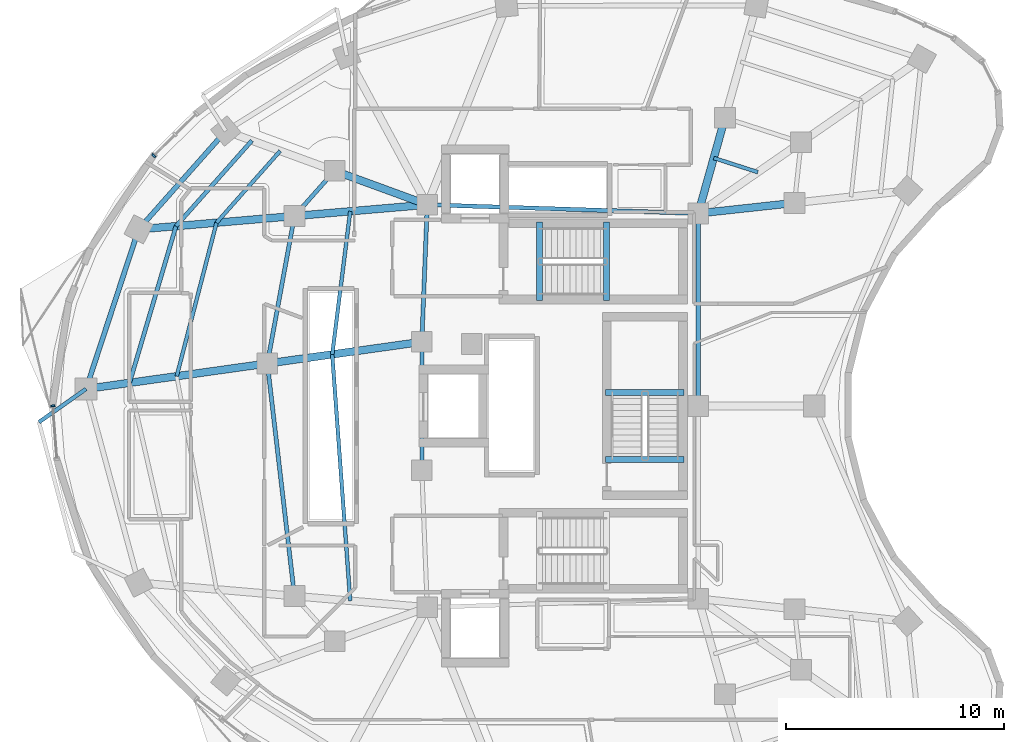
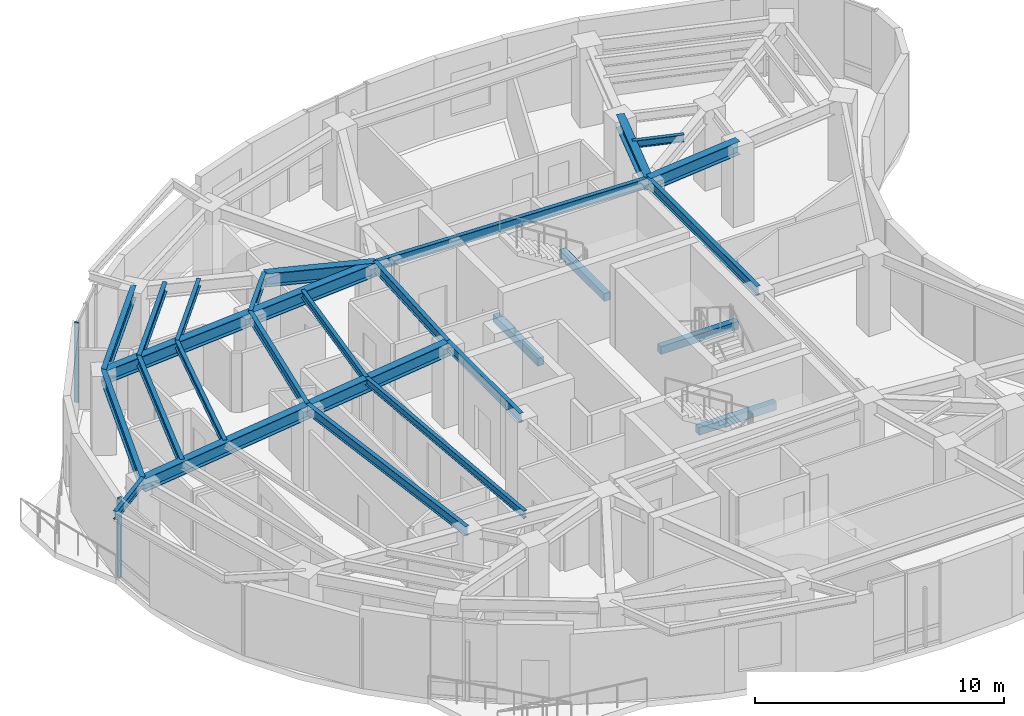
# One storey, part 3 of 13: 28 beams, 2 members, 2 elements without a shape of their own.
"""IFC4 building model written with IfcOpenShell, lengths in metres."""

import ifcopenshell
import ifcopenshell.guid

model = None  # the IFC model being written
_history = None  # IfcOwnerHistory: only IFC2X3 demands one
_inside = {}  # id of a spatial element -> (the spatial element, [elements in it])
_under = {}  # id of a project, library or spatial element -> (it, [spatial elements below it])
_declared = {}  # id of a project -> (the project, [libraries it declares])
_typed = {}  # id of a type object -> (the type object, [elements of that type])
_made_of = {}  # id of a material, layer set ... -> (it, [elements and type objects made of it])


def new_model(schema):
    """Start an empty IFC model of exactly this schema.

    Asked for "IFC4X3", IfcOpenShell would pick the latest addendum, in which some entities
    have other attributes; the version numbers below select the first issue.
    IFC2X3 requires an IfcOwnerHistory on every rooted entity: one is made here for all.
    """
    global model, _history
    if schema == "IFC4X3":
        model = ifcopenshell.file(schema_version=(4, 3, 0, 0))
    else:
        model = ifcopenshell.file(schema=schema)
    _inside.clear()
    _under.clear()
    _declared.clear()
    _typed.clear()
    _made_of.clear()
    _history = None
    if model.schema == "IFC2X3":
        org = make("IfcOrganization", Name="unknown")
        user = make(
            "IfcPersonAndOrganization",
            ThePerson=make("IfcPerson", FamilyName="unknown"),
            TheOrganization=org,
        )
        app = make(
            "IfcApplication",
            ApplicationDeveloper=org,
            Version="unknown",
            ApplicationFullName="unknown",
            ApplicationIdentifier="unknown",
        )
        _history = make(
            "IfcOwnerHistory",
            OwningUser=user,
            OwningApplication=app,
            ChangeAction="ADDED",
            CreationDate=0,
        )
    return model


def make(cls, **values):
    """One entity of the class cls with the attributes given. An attribute that is None is left unset."""
    return model.create_entity(
        cls, **{name: value for name, value in values.items() if value is not None}
    )


def rooted(cls, **values):
    """An entity with a GlobalId (a new one), such as an element, a storey or a relation."""
    return make(cls, GlobalId=ifcopenshell.guid.new(), OwnerHistory=_history, **values)


def si_unit(unit_type, name, prefix=None):
    """IfcSIUnit, for example si_unit("LENGTHUNIT", "METRE", prefix="MILLI")."""
    return make("IfcSIUnit", UnitType=unit_type, Prefix=prefix, Name=name)


def assignment(units):
    """IfcUnitAssignment: the units of a project."""
    return None if units is None else make("IfcUnitAssignment", Units=units)


def point(xyz):
    """IfcCartesianPoint."""
    return None if xyz is None else make("IfcCartesianPoint", Coordinates=xyz)


def direction(xyz):
    """IfcDirection."""
    return None if xyz is None else make("IfcDirection", DirectionRatios=xyz)


def frame(location, z_axis=None, x_axis=None):
    """IfcAxis2Placement3D, a coordinate frame: its origin and axes. An axis left out is left unset."""
    return make(
        "IfcAxis2Placement3D",
        Location=point(location),
        Axis=direction(z_axis),
        RefDirection=direction(x_axis),
    )


def frame_2d(location, x_axis=None):
    """IfcAxis2Placement2D, a coordinate frame in the plane: its origin and x axis."""
    return make(
        "IfcAxis2Placement2D", Location=point(location), RefDirection=direction(x_axis)
    )


def origin():
    """The frame at (0, 0, 0) with its axes left unset."""
    return frame((0.0, 0.0, 0.0))


def origin_2d():
    """The frame at (0, 0) in the plane with its x axis left unset."""
    return frame_2d((0.0, 0.0))


def place(relative_to, where):
    """IfcLocalPlacement: puts the frame where relative to a parent placement (None: the world)."""
    return make(
        "IfcLocalPlacement", PlacementRelTo=relative_to, RelativePlacement=where
    )


def context(
    kind, dimensions, precision=None, world=None, true_north=None, identifier=None
):
    """IfcGeometricRepresentationContext, for example the 3D "Model" context."""
    return make(
        "IfcGeometricRepresentationContext",
        ContextIdentifier=identifier,
        ContextType=kind,
        CoordinateSpaceDimension=dimensions,
        Precision=precision,
        WorldCoordinateSystem=world,
        TrueNorth=true_north,
    )


def subcontext(parent, identifier, kind, view, scale=None):
    """IfcGeometricRepresentationSubContext, for example "Body" below "Model"."""
    return make(
        "IfcGeometricRepresentationSubContext",
        ContextIdentifier=identifier,
        ContextType=kind,
        ParentContext=parent,
        TargetScale=scale,
        TargetView=view,
    )


def project(units=None, contexts=None):
    """IfcProject with its units and contexts."""
    return rooted(
        "IfcProject",
        Name="project",
        RepresentationContexts=contexts,
        UnitsInContext=assignment(units),
    )


def spatial(cls, under=None, at=None, **own):
    """A site, building, storey or space (cls), placed at a placement, below another one or the project."""
    s = rooted(cls, ObjectPlacement=at, **own)
    if under is not None:
        _under.setdefault(under.id(), (under, []))[1].append(s)
    return s


def profile(cls, at=None, kind="AREA", **sizes):
    """A parametric profile (cls). Its sizes go by their IFC names, for example OverallWidth=200.0."""
    return make(cls, ProfileType=kind, Position=at, **sizes)


def rectangle(**sizes):
    """IfcRectangleProfileDef."""
    return profile("IfcRectangleProfileDef", **sizes)


def i_section(**sizes):
    """IfcIShapeProfileDef."""
    return profile("IfcIShapeProfileDef", **sizes)


def extrude(swept, where, along, depth):
    """IfcExtrudedAreaSolid: the profile swept, set in the frame where, extruded along a direction by depth."""
    return make(
        "IfcExtrudedAreaSolid",
        SweptArea=swept,
        Position=where,
        ExtrudedDirection=direction(along),
        Depth=depth,
    )


def shape(context_of_items, identifier, shape_type, items):
    """IfcShapeRepresentation: the items that make up one representation, for example the "Body"."""
    return make(
        "IfcShapeRepresentation",
        ContextOfItems=context_of_items,
        RepresentationIdentifier=identifier,
        RepresentationType=shape_type,
        Items=items,
    )


def material(Name=None, Category=None):
    """IfcMaterial."""
    return make("IfcMaterial", Name=Name, Category=Category)


def layer(
    of_material, thickness, ventilated=None, Name=None, Category=None, Priority=None
):
    """IfcMaterialLayer: one layer of a wall or slab, of a material (None: an air gap)."""
    return make(
        "IfcMaterialLayer",
        Material=of_material,
        LayerThickness=thickness,
        IsVentilated=ventilated,
        Name=Name,
        Category=Category,
        Priority=Priority,
    )


def layer_set(layers, Name=None):
    """IfcMaterialLayerSet."""
    return make("IfcMaterialLayerSet", MaterialLayers=layers, LayerSetName=Name)


def material_profile(
    of_material, cross_section, Name=None, Category=None, Priority=None
):
    """IfcMaterialProfile: a cross section and its material."""
    return make(
        "IfcMaterialProfile",
        Name=Name,
        Material=of_material,
        Profile=cross_section,
        Priority=Priority,
        Category=Category,
    )


def profile_set(profiles, Name=None, composite=None):
    """IfcMaterialProfileSet."""
    return make(
        "IfcMaterialProfileSet",
        Name=Name,
        MaterialProfiles=profiles,
        CompositeProfile=composite,
    )


def made_of(thing, what):
    """Note that an element or type object is made of a material, layer set ...; save() writes the relation."""
    if what is not None:
        _made_of.setdefault(what.id(), (what, []))[1].append(thing)
    return thing


def type_object(cls, material=None, **own):
    """A type object (cls), such as IfcWallType, which elements share."""
    return made_of(rooted(cls, **own), material)


def element(
    cls,
    number,
    at=None,
    inside=None,
    cuts=None,
    type_object=None,
    material=None,
    context=None,
    identifier="Body",
    shape_type=None,
    held_by="IfcProductDefinitionShape",
    body=None,
    shapes=None,
    **own,
):
    """One element of the class cls, such as IfcWall. Its Tag is "e" and its number.

    at: its placement. inside: the storey or other place that contains it. cuts: it is an
    opening in that element (IfcRelVoidsElement). A single representation is given by context,
    identifier, shape_type and body (its items); several are given by shapes. held_by: the class
    of the entity that holds the representations. save() writes the other relations.
    """
    e = rooted(cls, Tag="e%d" % number, ObjectPlacement=at, **own)
    if body is not None:
        shapes = [shape(context, identifier, shape_type, body)]
    if shapes is not None:
        e.Representation = make(held_by, Representations=shapes)
    if inside is not None:
        _inside.setdefault(inside.id(), (inside, []))[1].append(e)
    if cuts is not None:
        rooted(
            "IfcRelVoidsElement", RelatingBuildingElement=cuts, RelatedOpeningElement=e
        )
    if type_object is not None:
        _typed.setdefault(type_object.id(), (type_object, []))[1].append(e)
    return made_of(e, material)


def aggregate(whole, parts):
    """IfcRelAggregates: a whole, such as a stair, and the parts it consists of."""
    return rooted("IfcRelAggregates", RelatingObject=whole, RelatedObjects=parts)


def save(model, path):
    """Write the relations noted so far, then the file.

    IfcRelAggregates (storeys below a building ...), IfcRelContainedInSpatialStructure (elements
    in a storey), IfcRelDefinesByType, IfcRelAssociatesMaterial and IfcRelDeclares: one each for
    every whole, place, type object, material and project.
    """
    for whole, parts in _under.values():
        aggregate(whole, parts)
    for where, things in _inside.values():
        rooted(
            "IfcRelContainedInSpatialStructure",
            RelatedElements=things,
            RelatingStructure=where,
        )
    for kind, things in _typed.values():
        rooted("IfcRelDefinesByType", RelatedObjects=things, RelatingType=kind)
    for what, things in _made_of.values():
        rooted("IfcRelAssociatesMaterial", RelatedObjects=things, RelatingMaterial=what)
    for by, libraries in _declared.values():
        rooted("IfcRelDeclares", RelatingContext=by, RelatedDefinitions=libraries)
    model.write(path)


model = new_model("IFC4")

# Units and contexts
model_context = context("Model", 3, precision=1e-05, world=origin(), true_north=direction((0.0, 1.0)))
body_context = subcontext(model_context, "Body", "Model", "MODEL_VIEW")
ifc_project = project(units=[si_unit("LENGTHUNIT", "METRE"), si_unit("AREAUNIT", "SQUARE_METRE"), si_unit("VOLUMEUNIT", "CUBIC_METRE"), si_unit("PLANEANGLEUNIT", "RADIAN"), si_unit("MASSUNIT", "GRAM", prefix="KILO")], contexts=[model_context])

# Site, building, storey
site_placement = place(None, origin())
site = spatial("IfcSite", under=ifc_project, at=site_placement, CompositionType="ELEMENT")
building_placement = place(site_placement, origin())
building = spatial("IfcBuilding", under=site, at=building_placement, Name="Korentha Bioscience Tower", CompositionType="ELEMENT")
storey_placement = place(building_placement, frame((0.0, 0.0, 187.800048828125)))
storey = spatial("IfcBuildingStorey", under=building, at=storey_placement, Name="L43", CompositionType="ELEMENT", Elevation=187.800048828125)

# Beams
ifc_material_1 = material(Name="Concrete C50", Category="concrete")
ifc_material_profile_1 = material_profile(ifc_material_1, rectangle(XDim=0.280029296875, YDim=0.3798828125, at=origin_2d()), Name="Concrete C50")
ifc_profile_set_1 = profile_set([ifc_material_profile_1], Name="Concrete C50 (ST-HB380)")
beam_type_1 = type_object("IfcBeamType", Name="Concrete Stair Header Beam RC 280x380", PredefinedType="BEAM", material=ifc_profile_set_1)
for number, where, z_axis, x_axis, name in (
    (1, (30.25, 31.85009765625, -0.18994140625), (0.0, 1.0, 0.0), (-1.0, 0.0, 0.0), "L43 ST-1 Concrete Stair Header Beam"),
    (2, (33.330078125, 31.85009765625, 1.909912109375), (0.0, 1.0, 0.0), (-1.0, 0.0, 0.0), "L43 ST-1 Half-Landing Header Beam 1"),
    (3, (36.89990234375, 24.550048828125, -0.18994140625), (-1.0, 0.0, 0.0), (0.0, -1.0, 0.0), "L43 ST-3 Concrete Stair Header Beam"),
    (4, (36.89990234375, 27.6298828125, 1.909912109375), (-1.0, 0.0, 0.0), (0.0, -1.0, 0.0), "L43 ST-3 Half-Landing Header Beam 1"),
):
    element("IfcBeam", number, at=place(storey_placement, frame(where, z_axis=z_axis, x_axis=x_axis)), inside=storey, type_object=beam_type_1, Name=name, PredefinedType="BEAM", context=body_context, shape_type="SweptSolid", body=[
        extrude(rectangle(XDim=0.280029296875, YDim=0.3798828125, at=origin_2d()), origin(), (0.0, 0.0, 1.0), 3.599853515625),
    ])
ifc_material_2 = material(Name="Steel S355", Category="steel")
ifc_material_profile_2 = material_profile(ifc_material_2, i_section(OverallWidth=0.18994140625, OverallDepth=0.45703125, WebThickness=0.009033203125, FlangeThickness=0.014404296875, at=origin_2d()), Name="Steel S355")
ifc_profile_set_2 = profile_set([ifc_material_profile_2], Name="Steel S355 (MB-460)")
beam_type_2 = type_object("IfcBeamType", Name="Mid-Ring Tie Girder W460x74", PredefinedType="BEAM", material=ifc_profile_set_2)
beam_1_placement = place(storey_placement, frame((20.84228515625, 37.807861328125, 3.67138671875), z_axis=(-0.663512238321, -0.748165429299, 0.0), x_axis=(0.748165429299, -0.663512238321, 0.0)))
element("IfcBeam", 5, at=beam_1_placement, inside=storey, type_object=beam_type_2, Name="L43 Mid-Ring Tie Girder 05", PredefinedType="BEAM", context=body_context, shape_type="SweptSolid", body=[
    extrude(i_section(OverallWidth=0.18994140625, OverallDepth=0.45703125, WebThickness=0.009033203125, FlangeThickness=0.014404296875, at=origin_2d()), origin(), (0.0, 0.0, 1.0), 2.77734375),
])
beam_2_placement = place(storey_placement, frame((18.99951171875, 35.72998046875, 3.67138671875), z_axis=(-0.180880998363, -0.98350498953, 0.0), x_axis=(0.98350498953, -0.180880998363, 0.0)))
element("IfcBeam", 6, at=beam_2_placement, inside=storey, type_object=beam_type_2, Name="L43 Mid-Ring Tie Girder 06", PredefinedType="BEAM", context=body_context, shape_type="SweptSolid", body=[
    extrude(i_section(OverallWidth=0.18994140625, OverallDepth=0.45703125, WebThickness=0.009033203125, FlangeThickness=0.014404296875, at=origin_2d()), origin(), (0.0, 0.0, 1.0), 6.888916015625),
])
beam_3_placement = place(storey_placement, frame((17.75341796875, 28.95458984375, 3.67138671875), z_axis=(0.115840395246, -0.993267840428, 0.0), x_axis=(0.993267840428, 0.115840395246, 0.0)))
element("IfcBeam", 7, at=beam_3_placement, inside=storey, type_object=beam_type_2, Name="L43 Mid-Ring Tie Girder 07", PredefinedType="BEAM", context=body_context, shape_type="SweptSolid", body=[
    extrude(i_section(OverallWidth=0.18994140625, OverallDepth=0.45703125, WebThickness=0.009033203125, FlangeThickness=0.014404296875, at=origin_2d()), origin(), (0.0, 0.0, 1.0), 10.757080078125),
])
beam_4_placement = place(storey_placement, frame((37.550048828125, 35.85009765625, 3.67138671875), z_axis=(-0.999484526071, 0.032104238723, 0.0), x_axis=(-0.032104238723, -0.999484526071, 0.0)))
element("IfcBeam", 8, at=beam_4_placement, inside=storey, type_object=beam_type_2, Name="L43 Core Ring Tie Girder 01", PredefinedType="BEAM", context=body_context, shape_type="SweptSolid", body=[
    extrude(i_section(OverallWidth=0.18994140625, OverallDepth=0.45703125, WebThickness=0.009033203125, FlangeThickness=0.014404296875, at=origin_2d()), origin(), (0.0, 0.0, 1.0), 12.456298828125),
])
beam_5_placement = place(storey_placement, frame((25.10009765625, 36.25, 3.67138671875), z_axis=(-0.039651025576, -0.999213588864, 0.0), x_axis=(0.999213588864, -0.039651025576, 0.0)))
element("IfcBeam", 9, at=beam_5_placement, inside=storey, type_object=beam_type_2, Name="L43 Core Ring Tie Girder 02", PredefinedType="BEAM", context=body_context, shape_type="SweptSolid", body=[
    extrude(i_section(OverallWidth=0.18994140625, OverallDepth=0.45703125, WebThickness=0.009033203125, FlangeThickness=0.014404296875, at=origin_2d()), origin(), (0.0, 0.0, 1.0), 6.304931640625),
])
beam_6_placement = place(storey_placement, frame((24.85009765625, 29.949951171875, 3.67138671875), z_axis=(0.0, -1.0, 0.0), x_axis=(1.0, 0.0, 0.0)))
element("IfcBeam", 10, at=beam_6_placement, inside=storey, type_object=beam_type_2, Name="L43 Core Ring Tie Girder 03", PredefinedType="BEAM", context=body_context, shape_type="SweptSolid", body=[
    extrude(i_section(OverallWidth=0.18994140625, OverallDepth=0.45703125, WebThickness=0.009033203125, FlangeThickness=0.014404296875, at=origin_2d()), origin(), (0.0, 0.0, 1.0), 5.89990234375),
])
beam_7_placement = place(storey_placement, frame((37.550048828125, 27.0, 3.67138671875), z_axis=(0.0, 1.0, 0.0), x_axis=(-1.0, 0.0, 0.0)))
element("IfcBeam", 11, at=beam_7_placement, inside=storey, type_object=beam_type_2, Name="L43 Core Ring Tie Girder 07", PredefinedType="BEAM", context=body_context, shape_type="SweptSolid", body=[
    extrude(i_section(OverallWidth=0.18994140625, OverallDepth=0.45703125, WebThickness=0.009033203125, FlangeThickness=0.014404296875, at=origin_2d()), origin(), (0.0, 0.0, 1.0), 8.85009765625),
])

# Curtain wall, member
ifc_material_3 = material(Name="Thermally Broken Aluminium Frame", Category="aluminium")
ifc_layer = layer(ifc_material_3, 0.219970703125, Name="Thermally Broken Aluminium Frame")
ifc_layer_set = layer_set([ifc_layer], Name="Thermally Broken Aluminium Frame (CW-T1)")
curtain_wall_type = type_object("IfcCurtainWallType", Name="Standard Bioscience Lab Unitised Curtain Wall CW-T1", PredefinedType="USERDEFINED", material=ifc_layer_set)
curtain_wall_1_placement = place(storey_placement, origin())
curtain_wall_1 = element("IfcCurtainWall", 12, at=curtain_wall_1_placement, inside=storey, type_object=curtain_wall_type, Name="L43 Curtain Wall 13", ObjectType="UNITISED", PredefinedType="USERDEFINED")
ifc_material_4 = material(Name="Anodised Aluminium 6063-T6", Category="aluminium")
ifc_material_profile_3 = material_profile(ifc_material_4, rectangle(XDim=0.090087890625, YDim=0.199951171875, at=origin_2d()), Name="Anodised Aluminium 6063-T6")
ifc_profile_set_3 = profile_set([ifc_material_profile_3], Name="Anodised Aluminium 6063-T6 (CW-MUL)")
member_type = type_object("IfcMemberType", Name="Mullion RECT 90x200", PredefinedType="MULLION", material=ifc_profile_set_3)
member_1_placement = place(storey_placement, frame((12.53515625, 38.502685546875, 0.0), z_axis=(0.0, 0.0, 1.0), x_axis=(-0.711460557971, -0.702726030862, 0.0)))
member_1 = element("IfcMember", 13, at=member_1_placement, type_object=member_type, Name="CW-L43-13 Mullion 3", PredefinedType="MULLION", context=body_context, shape_type="SweptSolid", body=[
    extrude(rectangle(XDim=0.090087890625, YDim=0.199951171875, at=origin_2d()), origin(), (0.0, 0.0, 1.0), 3.89990234375),
])
aggregate(curtain_wall_1, [member_1])

curtain_wall_2_placement = place(storey_placement, origin())
curtain_wall_2 = element("IfcCurtainWall", 14, at=curtain_wall_2_placement, inside=storey, type_object=curtain_wall_type, Name="L43 Curtain Wall 19", ObjectType="UNITISED", PredefinedType="USERDEFINED")
member_2_placement = place(storey_placement, frame((7.89599609375, 27.007568359375, 0.0), z_axis=(0.0, 0.0, 1.0), x_axis=(0.078030772566, -0.996950950916, 0.0)))
member_2 = element("IfcMember", 15, at=member_2_placement, type_object=member_type, Name="CW-L43-19 Mullion 1", PredefinedType="MULLION", context=body_context, shape_type="SweptSolid", body=[
    extrude(rectangle(XDim=0.090087890625, YDim=0.199951171875, at=origin_2d()), origin(), (0.0, 0.0, 1.0), 3.89990234375),
])
aggregate(curtain_wall_2, [member_2])

# Beams
ifc_material_profile_4 = material_profile(ifc_material_2, i_section(OverallWidth=0.22802734375, OverallDepth=0.60791015625, WebThickness=0.01123046875, FlangeThickness=0.017333984375, at=origin_2d()), Name="Steel S355")
ifc_profile_set_4 = profile_set([ifc_material_profile_4], Name="Steel S355 (SB-610)")
beam_type_3 = type_object("IfcBeamType", Name="Perimeter Ring Spandrel Girder W610x113", PredefinedType="SPANDREL", material=ifc_profile_set_4)
beam_8_placement = place(storey_placement, frame((15.843994140625, 39.63671875, 3.595947265625), z_axis=(-0.663502544942, -0.748174025782, 0.0), x_axis=(0.748174025782, -0.663502544942, 0.0)))
element("IfcBeam", 16, at=beam_8_placement, inside=storey, type_object=beam_type_3, Name="L43 Perimeter Spandrel Girder 05", PredefinedType="SPANDREL", context=body_context, shape_type="SweptSolid", body=[
    extrude(i_section(OverallWidth=0.22802734375, OverallDepth=0.60791015625, WebThickness=0.01123046875, FlangeThickness=0.017333984375, at=origin_2d()), origin(), (0.0, 0.0, 1.0), 6.037841796875),
])
beam_9_placement = place(storey_placement, frame((11.837890625, 35.119384765625, 3.595947265625), z_axis=(-0.312820215824, -0.949812356506, 0.0), x_axis=(0.949812356506, -0.312820215824, 0.0)))
element("IfcBeam", 17, at=beam_9_placement, inside=storey, type_object=beam_type_3, Name="L43 Perimeter Spandrel Girder 06", PredefinedType="SPANDREL", context=body_context, shape_type="SweptSolid", body=[
    extrude(i_section(OverallWidth=0.22802734375, OverallDepth=0.60791015625, WebThickness=0.01123046875, FlangeThickness=0.017333984375, at=origin_2d()), origin(), (0.0, 0.0, 1.0), 7.720947265625),
])
ifc_material_profile_5 = material_profile(ifc_material_2, i_section(OverallWidth=0.18994140625, OverallDepth=0.45703125, WebThickness=0.009033203125, FlangeThickness=0.014404296875, at=origin_2d()), Name="Steel S355")
ifc_profile_set_5 = profile_set([ifc_material_profile_5], Name="Steel S355 (RB-460)")
beam_type_4 = type_object("IfcBeamType", Name="Radial Laboratory Beam W460x74", PredefinedType="BEAM", material=ifc_profile_set_5)
beam_10_placement = place(storey_placement, frame((17.043701171875, 39.197998046875, 3.67138671875), z_axis=(-0.663495511182, -0.748180263467, 0.0), x_axis=(0.748180263467, -0.663495511182, 0.0)))
element("IfcBeam", 18, at=beam_10_placement, inside=storey, type_object=beam_type_4, Name="L43 Secondary Floor Beam JSTO-05", PredefinedType="BEAM", context=body_context, shape_type="SweptSolid", body=[
    extrude(i_section(OverallWidth=0.18994140625, OverallDepth=0.45703125, WebThickness=0.009033203125, FlangeThickness=0.014404296875, at=origin_2d()), origin(), (0.0, 0.0, 1.0), 5.255615234375),
])
beam_11_placement = place(storey_placement, frame((13.556640625, 35.265869140625, 3.67138671875), z_axis=(-0.284283148615, -0.958740367051, 0.0), x_axis=(0.958740367051, -0.284283148615, 0.0)))
element("IfcBeam", 19, at=beam_11_placement, inside=storey, type_object=beam_type_4, Name="L43 Secondary Floor Beam JSTO-06", PredefinedType="BEAM", context=body_context, shape_type="SweptSolid", body=[
    extrude(i_section(OverallWidth=0.18994140625, OverallDepth=0.45703125, WebThickness=0.009033203125, FlangeThickness=0.014404296875, at=origin_2d()), origin(), (0.0, 0.0, 1.0), 7.50927734375),
])
ifc_material_profile_6 = material_profile(ifc_material_2, i_section(OverallWidth=0.35009765625, OverallDepth=0.64990234375, WebThickness=0.01611328125, FlangeThickness=0.02490234375, at=origin_2d()), Name="Steel S355")
ifc_profile_set_6 = profile_set([ifc_material_profile_6], Name="Steel S355 (RB-650)")
beam_type_5 = type_object("IfcBeamType", Name="Radial Laboratory Girder CVS 650x208", PredefinedType="BEAM", material=ifc_profile_set_6)
beam_12_placement = place(storey_placement, frame((37.550048828125, 35.85009765625, 3.574951171875), z_axis=(0.269477001654, 0.963006825303, 0.0), x_axis=(-0.963006825303, 0.269477001654, 0.0)))
element("IfcBeam", 20, at=beam_12_placement, inside=storey, type_object=beam_type_5, Name="L43 Inner Radial Girder 02", PredefinedType="BEAM", context=body_context, shape_type="SweptSolid", body=[
    extrude(i_section(OverallWidth=0.35009765625, OverallDepth=0.64990234375, WebThickness=0.01611328125, FlangeThickness=0.02490234375, at=origin_2d()), origin(), (0.0, 0.0, 1.0), 4.559814453125),
])
beam_13_placement = place(storey_placement, frame((25.10009765625, 36.25, 3.574951171875), z_axis=(-0.939113952431, 0.343605856105, 0.0), x_axis=(-0.343605856105, -0.939113952431, 0.0)))
element("IfcBeam", 21, at=beam_13_placement, inside=storey, type_object=beam_type_5, Name="L43 Inner Radial Girder 05", PredefinedType="BEAM", context=body_context, shape_type="SweptSolid", body=[
    extrude(i_section(OverallWidth=0.35009765625, OverallDepth=0.64990234375, WebThickness=0.01611328125, FlangeThickness=0.02490234375, at=origin_2d()), origin(), (0.0, 0.0, 1.0), 4.533935546875),
])
beam_14_placement = place(storey_placement, frame((25.10009765625, 36.25, 3.574951171875), z_axis=(-0.996386672138, -0.084932912264, 0.0), x_axis=(0.084932912264, -0.996386672138, 0.0)))
element("IfcBeam", 22, at=beam_14_placement, inside=storey, type_object=beam_type_5, Name="L43 Inner Radial Girder 06", PredefinedType="BEAM", context=body_context, shape_type="SweptSolid", body=[
    extrude(i_section(OverallWidth=0.35009765625, OverallDepth=0.64990234375, WebThickness=0.01611328125, FlangeThickness=0.02490234375, at=origin_2d()), origin(), (0.0, 0.0, 1.0), 6.122802734375),
])
beam_15_placement = place(storey_placement, frame((18.99951171875, 35.72998046875, 3.574951171875), z_axis=(-0.996385111181, -0.084951222577, 0.0), x_axis=(0.084951222577, -0.996385111181, 0.0)))
element("IfcBeam", 23, at=beam_15_placement, inside=storey, type_object=beam_type_5, Name="L43 Outer Radial Girder 06", PredefinedType="BEAM", context=body_context, shape_type="SweptSolid", body=[
    extrude(i_section(OverallWidth=0.35009765625, OverallDepth=0.64990234375, WebThickness=0.01611328125, FlangeThickness=0.02490234375, at=origin_2d()), origin(), (0.0, 0.0, 1.0), 7.1875),
])
beam_16_placement = place(storey_placement, frame((24.85009765625, 29.949951171875, 3.574951171875), z_axis=(-0.990306724295, -0.138897774699, 0.0), x_axis=(0.138897774699, -0.990306724295, 0.0)))
element("IfcBeam", 24, at=beam_16_placement, inside=storey, type_object=beam_type_5, Name="L43 Inner Radial Girder 07", PredefinedType="BEAM", context=body_context, shape_type="SweptSolid", body=[
    extrude(i_section(OverallWidth=0.35009765625, OverallDepth=0.64990234375, WebThickness=0.01611328125, FlangeThickness=0.02490234375, at=origin_2d()), origin(), (0.0, 0.0, 1.0), 7.166259765625),
])
beam_17_placement = place(storey_placement, frame((17.75341796875, 28.95458984375, 3.574951171875), z_axis=(-0.990302735089, -0.138926213782, 0.0), x_axis=(0.138926213782, -0.990302735089, 0.0)))
element("IfcBeam", 25, at=beam_17_placement, inside=storey, type_object=beam_type_5, Name="L43 Outer Radial Girder 07", PredefinedType="BEAM", context=body_context, shape_type="SweptSolid", body=[
    extrude(i_section(OverallWidth=0.35009765625, OverallDepth=0.64990234375, WebThickness=0.01611328125, FlangeThickness=0.02490234375, at=origin_2d()), origin(), (0.0, 0.0, 1.0), 8.412353515625),
])
beam_18_placement = place(storey_placement, frame((37.550048828125, 35.85009765625, 3.574951171875), z_axis=(0.994118939953, 0.108293735857, 0.0), x_axis=(-0.108293735857, 0.994118939953, 0.0)))
element("IfcBeam", 26, at=beam_18_placement, inside=storey, type_object=beam_type_5, Name="L43 Inner Radial Girder 16", PredefinedType="BEAM", context=body_context, shape_type="SweptSolid", body=[
    extrude(i_section(OverallWidth=0.35009765625, OverallDepth=0.64990234375, WebThickness=0.01611328125, FlangeThickness=0.02490234375, at=origin_2d()), origin(), (0.0, 0.0, 1.0), 4.4501953125),
])
ifc_material_profile_7 = material_profile(ifc_material_2, i_section(OverallWidth=0.1708984375, OverallDepth=0.35498046875, WebThickness=0.007080078125, FlangeThickness=0.01171875, at=origin_2d()), Name="Steel S355")
ifc_profile_set_7 = profile_set([ifc_material_profile_7], Name="Steel S355 (JB-360)")
beam_type_6 = type_object("IfcBeamType", Name="Secondary Laboratory Joist W360x51", PredefinedType="JOIST", material=ifc_profile_set_7)
beam_19_placement = place(storey_placement, frame((40.290283203125, 37.7451171875, 3.722412109375), z_axis=(-0.952010669267, 0.306064838885, 0.0), x_axis=(-0.306064838885, -0.952010669267, 0.0)))
element("IfcBeam", 27, at=beam_19_placement, inside=storey, type_object=beam_type_6, Name="L43 Inner Bay Joist 01", PredefinedType="JOIST", context=body_context, shape_type="SweptSolid", body=[
    extrude(i_section(OverallWidth=0.1708984375, OverallDepth=0.35498046875, WebThickness=0.007080078125, FlangeThickness=0.01171875, at=origin_2d()), origin(), (0.0, 0.0, 1.0), 2.1298828125),
])
beam_20_placement = place(storey_placement, frame((18.343017578125, 38.722412109375, 3.722412109375), z_axis=(-0.663462598754, -0.748209449322, 0.0), x_axis=(0.748209449322, -0.663462598754, 0.0)))
element("IfcBeam", 28, at=beam_20_placement, inside=storey, type_object=beam_type_6, Name="L43 Secondary Floor Beam JST-05", PredefinedType="JOIST", context=body_context, shape_type="SweptSolid", body=[
    extrude(i_section(OverallWidth=0.1708984375, OverallDepth=0.35498046875, WebThickness=0.007080078125, FlangeThickness=0.01171875, at=origin_2d()), origin(), (0.0, 0.0, 1.0), 4.40771484375),
])
beam_21_placement = place(storey_placement, frame((15.418701171875, 35.424560546875, 3.722412109375), z_axis=(-0.251203958933, -0.967934177006, 0.0), x_axis=(0.967934177006, -0.251203958933, 0.0)))
element("IfcBeam", 29, at=beam_21_placement, inside=storey, type_object=beam_type_6, Name="L43 Secondary Floor Beam JST-06", PredefinedType="JOIST", context=body_context, shape_type="SweptSolid", body=[
    extrude(i_section(OverallWidth=0.1708984375, OverallDepth=0.35498046875, WebThickness=0.007080078125, FlangeThickness=0.01171875, at=origin_2d()), origin(), (0.0, 0.0, 1.0), 7.2880859375),
])
beam_22_placement = place(storey_placement, frame((21.561767578125, 35.9482421875, 3.722412109375), z_axis=(-0.124914239886, -0.992167542643, 0.0), x_axis=(0.992167542643, -0.124914239886, 0.0)))
element("IfcBeam", 30, at=beam_22_placement, inside=storey, type_object=beam_type_6, Name="L43 Inner Bay Joist 06", PredefinedType="JOIST", context=body_context, shape_type="SweptSolid", body=[
    extrude(i_section(OverallWidth=0.1708984375, OverallDepth=0.35498046875, WebThickness=0.007080078125, FlangeThickness=0.01171875, at=origin_2d()), origin(), (0.0, 0.0, 1.0), 6.627685546875),
])
beam_23_placement = place(storey_placement, frame((20.73388671875, 29.37255859375, 3.722412109375), z_axis=(0.072934416258, -0.997336738983, 0.0), x_axis=(0.997336738983, 0.072934416258, 0.0)))
element("IfcBeam", 31, at=beam_23_placement, inside=storey, type_object=beam_type_6, Name="L43 Inner Bay Joist 07", PredefinedType="JOIST", context=body_context, shape_type="SweptSolid", body=[
    extrude(i_section(OverallWidth=0.1708984375, OverallDepth=0.35498046875, WebThickness=0.007080078125, FlangeThickness=0.01171875, at=origin_2d()), origin(), (0.0, 0.0, 1.0), 11.35107421875),
])
ifc_material_profile_8 = material_profile(ifc_material_2, i_section(OverallWidth=0.177978515625, OverallDepth=0.406982421875, WebThickness=0.0078125, FlangeThickness=0.0126953125, at=origin_2d()), Name="Steel S355")
ifc_profile_set_8 = profile_set([ifc_material_profile_8], Name="Steel S355 (CB-410)")
beam_type_7 = type_object("IfcBeamType", Name="Sun-Ledge Cantilever Beam W410x60", PredefinedType="BEAM", material=ifc_profile_set_8)
beam_24_placement = place(storey_placement, frame((9.422607421875, 27.785888671875, 3.698486328125), z_axis=(-0.816975535627, -0.576672328265, 0.0), x_axis=(0.576672328265, -0.816975535627, 0.0)))
element("IfcBeam", 32, at=beam_24_placement, inside=storey, type_object=beam_type_7, Name="L43 Balcony Cantilever Bracket A-L44-02", PredefinedType="BEAM", context=body_context, shape_type="SweptSolid", body=[
    extrude(i_section(OverallWidth=0.177978515625, OverallDepth=0.406982421875, WebThickness=0.0078125, FlangeThickness=0.0126953125, at=origin_2d()), origin(), (0.0, 0.0, 1.0), 2.6455078125),
])

save(model, "model.ifc")
